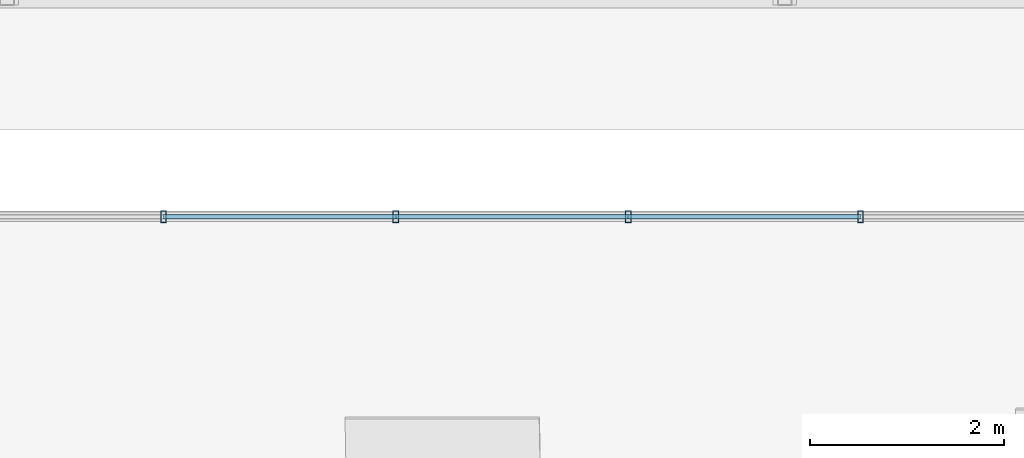
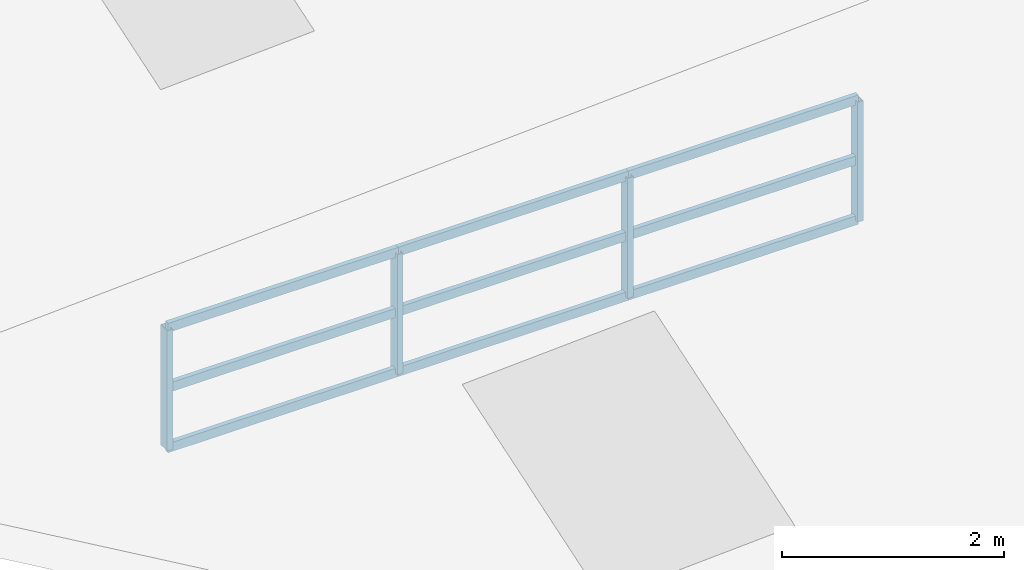
# One storey, part 33 of 141: 13 members, 1 element without a shape of its own.
"""IFC4 building model written with IfcOpenShell, lengths in metres."""

import ifcopenshell
import ifcopenshell.guid

model = None  # the IFC model being written
_history = None  # IfcOwnerHistory: only IFC2X3 demands one
_inside = {}  # id of a spatial element -> (the spatial element, [elements in it])
_under = {}  # id of a project, library or spatial element -> (it, [spatial elements below it])
_declared = {}  # id of a project -> (the project, [libraries it declares])
_typed = {}  # id of a type object -> (the type object, [elements of that type])
_made_of = {}  # id of a material, layer set ... -> (it, [elements and type objects made of it])


def new_model(schema):
    """Start an empty IFC model of exactly this schema.

    Asked for "IFC4X3", IfcOpenShell would pick the latest addendum, in which some entities
    have other attributes; the version numbers below select the first issue.
    IFC2X3 requires an IfcOwnerHistory on every rooted entity: one is made here for all.
    """
    global model, _history
    if schema == "IFC4X3":
        model = ifcopenshell.file(schema_version=(4, 3, 0, 0))
    else:
        model = ifcopenshell.file(schema=schema)
    _inside.clear()
    _under.clear()
    _declared.clear()
    _typed.clear()
    _made_of.clear()
    _history = None
    if model.schema == "IFC2X3":
        org = make("IfcOrganization", Name="unknown")
        user = make(
            "IfcPersonAndOrganization",
            ThePerson=make("IfcPerson", FamilyName="unknown"),
            TheOrganization=org,
        )
        app = make(
            "IfcApplication",
            ApplicationDeveloper=org,
            Version="unknown",
            ApplicationFullName="unknown",
            ApplicationIdentifier="unknown",
        )
        _history = make(
            "IfcOwnerHistory",
            OwningUser=user,
            OwningApplication=app,
            ChangeAction="ADDED",
            CreationDate=0,
        )
    return model


def make(cls, **values):
    """One entity of the class cls with the attributes given. An attribute that is None is left unset."""
    return model.create_entity(
        cls, **{name: value for name, value in values.items() if value is not None}
    )


def rooted(cls, **values):
    """An entity with a GlobalId (a new one), such as an element, a storey or a relation."""
    return make(cls, GlobalId=ifcopenshell.guid.new(), OwnerHistory=_history, **values)


def si_unit(unit_type, name, prefix=None):
    """IfcSIUnit, for example si_unit("LENGTHUNIT", "METRE", prefix="MILLI")."""
    return make("IfcSIUnit", UnitType=unit_type, Prefix=prefix, Name=name)


def assignment(units):
    """IfcUnitAssignment: the units of a project."""
    return None if units is None else make("IfcUnitAssignment", Units=units)


def point(xyz):
    """IfcCartesianPoint."""
    return None if xyz is None else make("IfcCartesianPoint", Coordinates=xyz)


def direction(xyz):
    """IfcDirection."""
    return None if xyz is None else make("IfcDirection", DirectionRatios=xyz)


def frame(location, z_axis=None, x_axis=None):
    """IfcAxis2Placement3D, a coordinate frame: its origin and axes. An axis left out is left unset."""
    return make(
        "IfcAxis2Placement3D",
        Location=point(location),
        Axis=direction(z_axis),
        RefDirection=direction(x_axis),
    )


def frame_2d(location, x_axis=None):
    """IfcAxis2Placement2D, a coordinate frame in the plane: its origin and x axis."""
    return make(
        "IfcAxis2Placement2D", Location=point(location), RefDirection=direction(x_axis)
    )


def origin():
    """The frame at (0, 0, 0) with its axes left unset."""
    return frame((0.0, 0.0, 0.0))


def origin_2d():
    """The frame at (0, 0) in the plane with its x axis left unset."""
    return frame_2d((0.0, 0.0))


def place(relative_to, where):
    """IfcLocalPlacement: puts the frame where relative to a parent placement (None: the world)."""
    return make(
        "IfcLocalPlacement", PlacementRelTo=relative_to, RelativePlacement=where
    )


def context(
    kind, dimensions, precision=None, world=None, true_north=None, identifier=None
):
    """IfcGeometricRepresentationContext, for example the 3D "Model" context."""
    return make(
        "IfcGeometricRepresentationContext",
        ContextIdentifier=identifier,
        ContextType=kind,
        CoordinateSpaceDimension=dimensions,
        Precision=precision,
        WorldCoordinateSystem=world,
        TrueNorth=true_north,
    )


def subcontext(parent, identifier, kind, view, scale=None):
    """IfcGeometricRepresentationSubContext, for example "Body" below "Model"."""
    return make(
        "IfcGeometricRepresentationSubContext",
        ContextIdentifier=identifier,
        ContextType=kind,
        ParentContext=parent,
        TargetScale=scale,
        TargetView=view,
    )


def project(units=None, contexts=None):
    """IfcProject with its units and contexts."""
    return rooted(
        "IfcProject",
        Name="project",
        RepresentationContexts=contexts,
        UnitsInContext=assignment(units),
    )


def spatial(cls, under=None, at=None, **own):
    """A site, building, storey or space (cls), placed at a placement, below another one or the project."""
    s = rooted(cls, ObjectPlacement=at, **own)
    if under is not None:
        _under.setdefault(under.id(), (under, []))[1].append(s)
    return s


def profile(cls, at=None, kind="AREA", **sizes):
    """A parametric profile (cls). Its sizes go by their IFC names, for example OverallWidth=200.0."""
    return make(cls, ProfileType=kind, Position=at, **sizes)


def hollow_rectangle(**sizes):
    """IfcRectangleHollowProfileDef."""
    return profile("IfcRectangleHollowProfileDef", **sizes)


def extrude(swept, where, along, depth):
    """IfcExtrudedAreaSolid: the profile swept, set in the frame where, extruded along a direction by depth."""
    return make(
        "IfcExtrudedAreaSolid",
        SweptArea=swept,
        Position=where,
        ExtrudedDirection=direction(along),
        Depth=depth,
    )


def shape(context_of_items, identifier, shape_type, items):
    """IfcShapeRepresentation: the items that make up one representation, for example the "Body"."""
    return make(
        "IfcShapeRepresentation",
        ContextOfItems=context_of_items,
        RepresentationIdentifier=identifier,
        RepresentationType=shape_type,
        Items=items,
    )


def material(Name=None, Category=None):
    """IfcMaterial."""
    return make("IfcMaterial", Name=Name, Category=Category)


def material_profile(
    of_material, cross_section, Name=None, Category=None, Priority=None
):
    """IfcMaterialProfile: a cross section and its material."""
    return make(
        "IfcMaterialProfile",
        Name=Name,
        Material=of_material,
        Profile=cross_section,
        Priority=Priority,
        Category=Category,
    )


def profile_set(profiles, Name=None, composite=None):
    """IfcMaterialProfileSet."""
    return make(
        "IfcMaterialProfileSet",
        Name=Name,
        MaterialProfiles=profiles,
        CompositeProfile=composite,
    )


def made_of(thing, what):
    """Note that an element or type object is made of a material, layer set ...; save() writes the relation."""
    if what is not None:
        _made_of.setdefault(what.id(), (what, []))[1].append(thing)
    return thing


def type_object(cls, material=None, **own):
    """A type object (cls), such as IfcWallType, which elements share."""
    return made_of(rooted(cls, **own), material)


def element(
    cls,
    number,
    at=None,
    inside=None,
    cuts=None,
    type_object=None,
    material=None,
    context=None,
    identifier="Body",
    shape_type=None,
    held_by="IfcProductDefinitionShape",
    body=None,
    shapes=None,
    **own,
):
    """One element of the class cls, such as IfcWall. Its Tag is "e" and its number.

    at: its placement. inside: the storey or other place that contains it. cuts: it is an
    opening in that element (IfcRelVoidsElement). A single representation is given by context,
    identifier, shape_type and body (its items); several are given by shapes. held_by: the class
    of the entity that holds the representations. save() writes the other relations.
    """
    e = rooted(cls, Tag="e%d" % number, ObjectPlacement=at, **own)
    if body is not None:
        shapes = [shape(context, identifier, shape_type, body)]
    if shapes is not None:
        e.Representation = make(held_by, Representations=shapes)
    if inside is not None:
        _inside.setdefault(inside.id(), (inside, []))[1].append(e)
    if cuts is not None:
        rooted(
            "IfcRelVoidsElement", RelatingBuildingElement=cuts, RelatedOpeningElement=e
        )
    if type_object is not None:
        _typed.setdefault(type_object.id(), (type_object, []))[1].append(e)
    return made_of(e, material)


def aggregate(whole, parts):
    """IfcRelAggregates: a whole, such as a stair, and the parts it consists of."""
    return rooted("IfcRelAggregates", RelatingObject=whole, RelatedObjects=parts)


def save(model, path):
    """Write the relations noted so far, then the file.

    IfcRelAggregates (storeys below a building ...), IfcRelContainedInSpatialStructure (elements
    in a storey), IfcRelDefinesByType, IfcRelAssociatesMaterial and IfcRelDeclares: one each for
    every whole, place, type object, material and project.
    """
    for whole, parts in _under.values():
        aggregate(whole, parts)
    for where, things in _inside.values():
        rooted(
            "IfcRelContainedInSpatialStructure",
            RelatedElements=things,
            RelatingStructure=where,
        )
    for kind, things in _typed.values():
        rooted("IfcRelDefinesByType", RelatedObjects=things, RelatingType=kind)
    for what, things in _made_of.values():
        rooted("IfcRelAssociatesMaterial", RelatedObjects=things, RelatingMaterial=what)
    for by, libraries in _declared.values():
        rooted("IfcRelDeclares", RelatingContext=by, RelatedDefinitions=libraries)
    model.write(path)


model = new_model("IFC4")

# Units and contexts
model_context = context("Model", 3, precision=1e-05, world=origin(), true_north=direction((0.0, 1.0)))
body_context = subcontext(model_context, "Body", "Model", "MODEL_VIEW")
ifc_project = project(units=[si_unit("LENGTHUNIT", "METRE"), si_unit("AREAUNIT", "SQUARE_METRE"), si_unit("VOLUMEUNIT", "CUBIC_METRE"), si_unit("PLANEANGLEUNIT", "RADIAN"), si_unit("MASSUNIT", "GRAM", prefix="KILO")], contexts=[model_context])

# Site, building, storey
site_placement = place(None, origin())
site = spatial("IfcSite", under=ifc_project, at=site_placement, CompositionType="ELEMENT")
building_placement = place(site_placement, origin())
building = spatial("IfcBuilding", under=site, at=building_placement, Name="Sundkrona Museum", CompositionType="ELEMENT")
storey_placement = place(building_placement, frame((0.0, 0.0, 34.0)))
storey = spatial("IfcBuildingStorey", under=building, at=storey_placement, Name="RF", CompositionType="ELEMENT", Elevation=34.0)

# Curtain wall, members
ifc_material_1 = material(Name="Unitised Aluminium-Steel and Ceramic-Clad Curtain Walling", Category="steel")
curtain_wall_type = type_object("IfcCurtainWallType", Name="CW-SW-240x13", PredefinedType="NOTDEFINED", material=ifc_material_1)
curtain_wall_placement = place(storey_placement, origin())
curtain_wall = element("IfcCurtainWall", 1, at=curtain_wall_placement, inside=storey, type_object=curtain_wall_type, Name="Sawtooth Bay 3 West North-Light Clerestory", PredefinedType="NOTDEFINED")
ifc_material_2 = material(Name="Aluminium EN AW-6060 T66", Category="aluminium")
ifc_material_profile_1 = material_profile(ifc_material_2, hollow_rectangle(XDim=0.06005859375, YDim=0.1201171875, WallThickness=0.0048828125, at=origin_2d()), Name="RHS 120x60x5.0")
ifc_profile_set_1 = profile_set([ifc_material_profile_1], Name="Aluminium EN AW-6060 T66")
member_type_1 = type_object("IfcMemberType", Name="ML-120", PredefinedType="MULLION", material=ifc_profile_set_1)
member_1_placement = place(storey_placement, frame((129.610107421875, 18.39990234375, 3.052978515625), z_axis=(0.0, 0.0, 1.0), x_axis=(1.0, 0.0, 0.0)))
member_1 = element("IfcMember", 2, at=member_1_placement, type_object=member_type_1, Name="CW-RF-SAW-03W Mullion 05", PredefinedType="MULLION", context=body_context, shape_type="SweptSolid", body=[
    extrude(hollow_rectangle(XDim=0.06005859375, YDim=0.1201171875, WallThickness=0.0048828125, at=origin_2d()), origin(), (0.0, 0.0, 1.0), 1.320068359375),
])
member_2_placement = place(storey_placement, frame((132.0, 18.39990234375, 3.052978515625), z_axis=(0.0, 0.0, 1.0), x_axis=(1.0, 0.0, 0.0)))
member_2 = element("IfcMember", 3, at=member_2_placement, type_object=member_type_1, Name="CW-RF-SAW-03W Mullion 06", PredefinedType="MULLION", context=body_context, shape_type="SweptSolid", body=[
    extrude(hollow_rectangle(XDim=0.06005859375, YDim=0.1201171875, WallThickness=0.0048828125, at=origin_2d()), origin(), (0.0, 0.0, 1.0), 1.320068359375),
])
member_3_placement = place(storey_placement, frame((134.389892578125, 18.39990234375, 3.052978515625), z_axis=(0.0, 0.0, 1.0), x_axis=(1.0, 0.0, 0.0)))
member_3 = element("IfcMember", 4, at=member_3_placement, type_object=member_type_1, Name="CW-RF-SAW-03W Mullion 07", PredefinedType="MULLION", context=body_context, shape_type="SweptSolid", body=[
    extrude(hollow_rectangle(XDim=0.06005859375, YDim=0.1201171875, WallThickness=0.0048828125, at=origin_2d()), origin(), (0.0, 0.0, 1.0), 1.320068359375),
])
member_4_placement = place(storey_placement, frame((136.780029296875, 18.39990234375, 3.052978515625), z_axis=(0.0, 0.0, 1.0), x_axis=(1.0, 0.0, 0.0)))
member_4 = element("IfcMember", 5, at=member_4_placement, type_object=member_type_1, Name="CW-RF-SAW-03W Mullion 08", PredefinedType="MULLION", context=body_context, shape_type="SweptSolid", body=[
    extrude(hollow_rectangle(XDim=0.06005859375, YDim=0.1201171875, WallThickness=0.0048828125, at=origin_2d()), origin(), (0.0, 0.0, 1.0), 1.320068359375),
])
ifc_material_profile_2 = material_profile(ifc_material_2, hollow_rectangle(XDim=0.050048828125, YDim=0.10009765625, WallThickness=0.0048828125, at=origin_2d()), Name="RHS 100x50x5.0")
ifc_profile_set_2 = profile_set([ifc_material_profile_2], Name="Aluminium EN AW-6060 T66")
member_type_2 = type_object("IfcMemberType", Name="TR-100", PredefinedType="USERDEFINED", material=ifc_profile_set_2)
member_5_placement = place(storey_placement, frame((129.610107421875, 18.39990234375, 3.052978515625), z_axis=(1.0, 0.0, 0.0), x_axis=(0.0, 1.0, 0.0)))
member_5 = element("IfcMember", 6, at=member_5_placement, type_object=member_type_2, Name="CW-RF-SAW-03W Transom 13", ObjectType="TRANSOM", PredefinedType="USERDEFINED", context=body_context, shape_type="SweptSolid", body=[
    extrude(hollow_rectangle(XDim=0.050048828125, YDim=0.10009765625, WallThickness=0.0048828125, at=origin_2d()), origin(), (0.0, 0.0, 1.0), 2.389892578125),
])
member_6_placement = place(storey_placement, frame((129.610107421875, 18.39990234375, 3.712890625), z_axis=(1.0, 0.0, 0.0), x_axis=(0.0, 1.0, 0.0)))
member_6 = element("IfcMember", 7, at=member_6_placement, type_object=member_type_2, Name="CW-RF-SAW-03W Transom 14", ObjectType="TRANSOM", PredefinedType="USERDEFINED", context=body_context, shape_type="SweptSolid", body=[
    extrude(hollow_rectangle(XDim=0.050048828125, YDim=0.10009765625, WallThickness=0.0048828125, at=origin_2d()), origin(), (0.0, 0.0, 1.0), 2.389892578125),
])
member_7_placement = place(storey_placement, frame((129.610107421875, 18.39990234375, 4.373046875), z_axis=(1.0, 0.0, 0.0), x_axis=(0.0, 1.0, 0.0)))
member_7 = element("IfcMember", 8, at=member_7_placement, type_object=member_type_2, Name="CW-RF-SAW-03W Transom 15", ObjectType="TRANSOM", PredefinedType="USERDEFINED", context=body_context, shape_type="SweptSolid", body=[
    extrude(hollow_rectangle(XDim=0.050048828125, YDim=0.10009765625, WallThickness=0.0048828125, at=origin_2d()), origin(), (0.0, 0.0, 1.0), 2.389892578125),
])
member_8_placement = place(storey_placement, frame((132.0, 18.39990234375, 3.052978515625), z_axis=(1.0, 0.0, 0.0), x_axis=(0.0, 1.0, 0.0)))
member_8 = element("IfcMember", 9, at=member_8_placement, type_object=member_type_2, Name="CW-RF-SAW-03W Transom 16", ObjectType="TRANSOM", PredefinedType="USERDEFINED", context=body_context, shape_type="SweptSolid", body=[
    extrude(hollow_rectangle(XDim=0.050048828125, YDim=0.10009765625, WallThickness=0.0048828125, at=origin_2d()), origin(), (0.0, 0.0, 1.0), 2.389892578125),
])
member_9_placement = place(storey_placement, frame((132.0, 18.39990234375, 3.712890625), z_axis=(1.0, 0.0, 0.0), x_axis=(0.0, 1.0, 0.0)))
member_9 = element("IfcMember", 10, at=member_9_placement, type_object=member_type_2, Name="CW-RF-SAW-03W Transom 17", ObjectType="TRANSOM", PredefinedType="USERDEFINED", context=body_context, shape_type="SweptSolid", body=[
    extrude(hollow_rectangle(XDim=0.050048828125, YDim=0.10009765625, WallThickness=0.0048828125, at=origin_2d()), origin(), (0.0, 0.0, 1.0), 2.389892578125),
])
member_10_placement = place(storey_placement, frame((132.0, 18.39990234375, 4.373046875), z_axis=(1.0, 0.0, 0.0), x_axis=(0.0, 1.0, 0.0)))
member_10 = element("IfcMember", 11, at=member_10_placement, type_object=member_type_2, Name="CW-RF-SAW-03W Transom 18", ObjectType="TRANSOM", PredefinedType="USERDEFINED", context=body_context, shape_type="SweptSolid", body=[
    extrude(hollow_rectangle(XDim=0.050048828125, YDim=0.10009765625, WallThickness=0.0048828125, at=origin_2d()), origin(), (0.0, 0.0, 1.0), 2.389892578125),
])
member_11_placement = place(storey_placement, frame((134.389892578125, 18.39990234375, 3.052978515625), z_axis=(1.0, 0.0, 0.0), x_axis=(0.0, 1.0, 0.0)))
member_11 = element("IfcMember", 12, at=member_11_placement, type_object=member_type_2, Name="CW-RF-SAW-03W Transom 19", ObjectType="TRANSOM", PredefinedType="USERDEFINED", context=body_context, shape_type="SweptSolid", body=[
    extrude(hollow_rectangle(XDim=0.050048828125, YDim=0.10009765625, WallThickness=0.0048828125, at=origin_2d()), origin(), (0.0, 0.0, 1.0), 2.39013671875),
])
member_12_placement = place(storey_placement, frame((134.389892578125, 18.39990234375, 3.712890625), z_axis=(1.0, 0.0, 0.0), x_axis=(0.0, 1.0, 0.0)))
member_12 = element("IfcMember", 13, at=member_12_placement, type_object=member_type_2, Name="CW-RF-SAW-03W Transom 20", ObjectType="TRANSOM", PredefinedType="USERDEFINED", context=body_context, shape_type="SweptSolid", body=[
    extrude(hollow_rectangle(XDim=0.050048828125, YDim=0.10009765625, WallThickness=0.0048828125, at=origin_2d()), origin(), (0.0, 0.0, 1.0), 2.39013671875),
])
member_13_placement = place(storey_placement, frame((134.389892578125, 18.39990234375, 4.373046875), z_axis=(1.0, 0.0, 0.0), x_axis=(0.0, 1.0, 0.0)))
member_13 = element("IfcMember", 14, at=member_13_placement, type_object=member_type_2, Name="CW-RF-SAW-03W Transom 21", ObjectType="TRANSOM", PredefinedType="USERDEFINED", context=body_context, shape_type="SweptSolid", body=[
    extrude(hollow_rectangle(XDim=0.050048828125, YDim=0.10009765625, WallThickness=0.0048828125, at=origin_2d()), origin(), (0.0, 0.0, 1.0), 2.39013671875),
])
aggregate(curtain_wall, [member_1, member_2, member_3, member_4, member_5, member_6, member_7, member_8, member_9, member_10, member_11, member_12, member_13])

save(model, "model.ifc")
